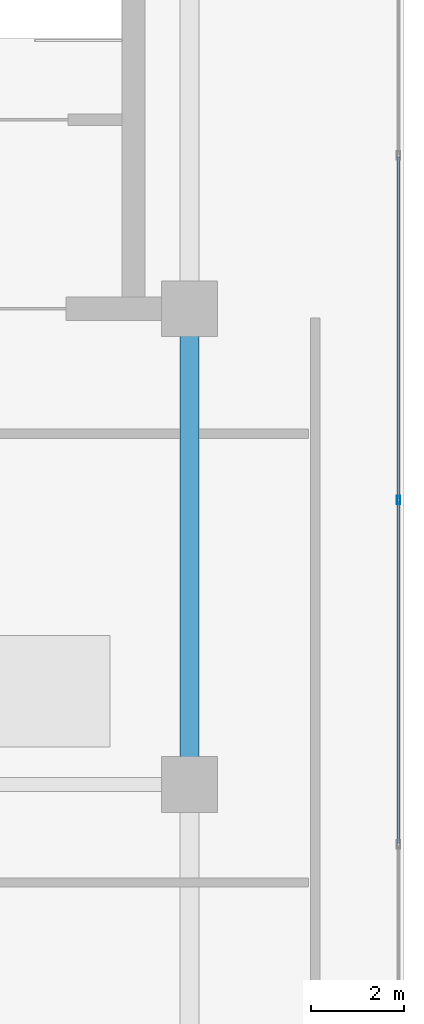
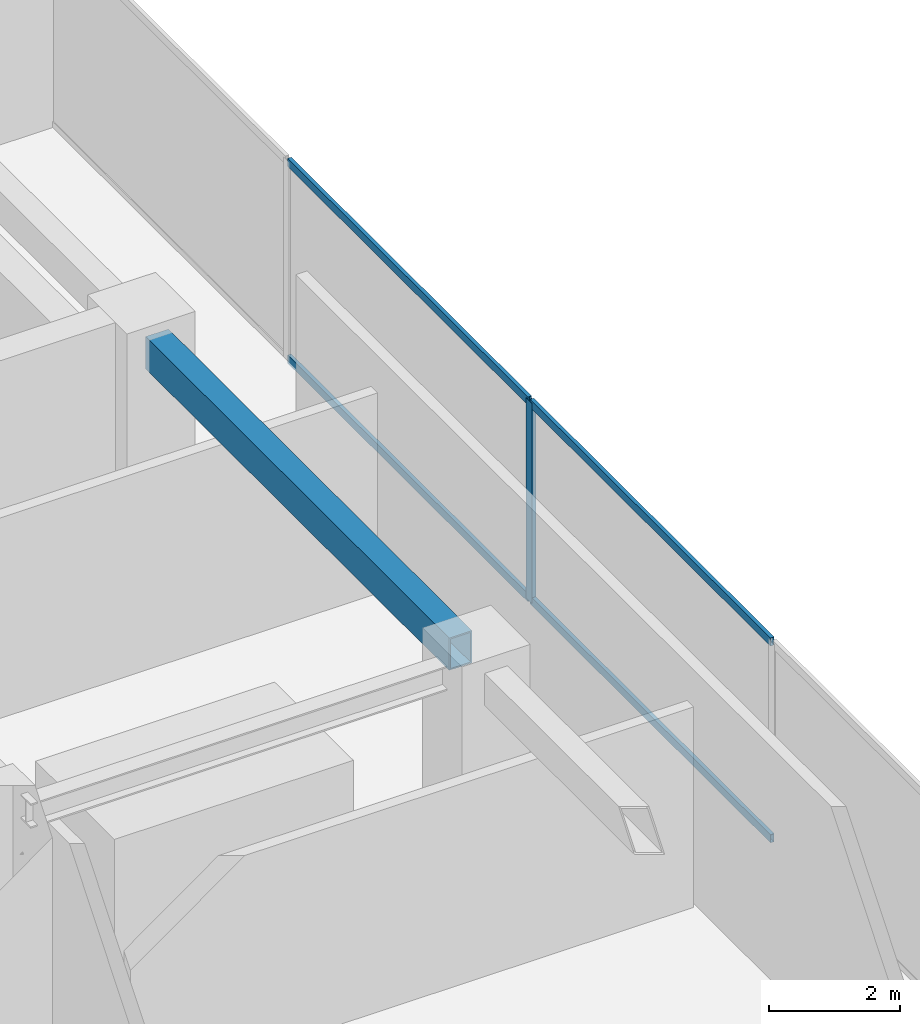
# One storey, part 10 of 19: 5 members, 1 beam, 1 element without a shape of its own.
"""IFC4 building model written with IfcOpenShell, lengths in metres."""

from ifc_helpers import new_model, si_unit, direction, frame, origin, origin_2d, place, context, subcontext, project, spatial, hollow_rectangle, extrude, source, transform, mapped, material, layer, layer_set, material_profile, profile_set, type_object, element, aggregate, save


model = new_model("IFC4")

# Units and contexts
model_context = context("Model", 3, precision=1e-05, world=origin(), true_north=direction((0.0, 1.0)))
body_context = subcontext(model_context, "Body", "Model", "MODEL_VIEW")
ifc_project = project(units=[si_unit("LENGTHUNIT", "METRE"), si_unit("AREAUNIT", "SQUARE_METRE"), si_unit("VOLUMEUNIT", "CUBIC_METRE"), si_unit("PLANEANGLEUNIT", "RADIAN"), si_unit("MASSUNIT", "GRAM", prefix="KILO")], contexts=[model_context])

# Site, building, storey
site_placement = place(None, origin())
site = spatial("IfcSite", under=ifc_project, at=site_placement, CompositionType="ELEMENT")
building_placement = place(site_placement, origin())
building = spatial("IfcBuilding", under=site, at=building_placement, Name="Sumidabori Civic Tower", CompositionType="ELEMENT")
storey_placement = place(building_placement, frame((0.0, 0.0, 293.60009765625)))
storey = spatial("IfcBuildingStorey", under=building, at=storey_placement, Name="L77", CompositionType="ELEMENT", Elevation=293.60009765625)

# Beam
ifc_material_1 = material(Name="Steel SN490", Category="steel")
ifc_material_profile_1 = material_profile(ifc_material_1, hollow_rectangle(XDim=0.39990234375, YDim=0.60009765625, WallThickness=0.02490234375, at=origin_2d()), Name="RHS 600x400x25")
ifc_profile_set_1 = profile_set([ifc_material_profile_1], Name="Steel SN490")
beam_type = type_object("IfcBeamType", Name="BM-CRN-RING", PredefinedType="BEAM", material=ifc_profile_set_1)
shared_shape_1 = source(origin(), body_context, "Body", "SweptSolid", [
    extrude(hollow_rectangle(XDim=0.39990234375, YDim=0.60009765625, WallThickness=0.02490234375, at=origin_2d()), origin(), (0.0, 0.0, 1.0), 9.239990234375),
])
beam_placement = place(storey_placement, frame((16.800048828125, 0.47998046875, 4.039794921875), z_axis=(0.0, 1.0, 0.0), x_axis=(-1.0, 0.0, 0.0)))
element("IfcBeam", 1, at=beam_placement, inside=storey, type_object=beam_type, Name="Crown Base Ring Beam BR-1-06", PredefinedType="BEAM", context=body_context, shape_type="MappedRepresentation", body=[
    mapped(shared_shape_1, transform((0.0, 0.0, 0.0), x_axis=(1.0, 0.0, 0.0), y_axis=(0.0, 1.0, 0.0), z_axis=(0.0, 0.0, 1.0), scale=1.0)),
])

# Curtain wall, members
ifc_material_2 = material(Name="Anodised Bronze Aluminium AW-6063-T6", Category="aluminium")
ifc_layer = layer(ifc_material_2, 0.179931640625, Name="Anodised Bronze Aluminium AW-6063-T6")
ifc_layer_set = layer_set([ifc_layer], Name="Anodised Bronze Aluminium AW-6063-T6")
curtain_wall_type = type_object("IfcCurtainWallType", Name="CW-SYS-6", PredefinedType="NOTDEFINED", material=ifc_layer_set)
curtain_wall_placement = place(storey_placement, origin())
curtain_wall = element("IfcCurtainWall", 2, at=curtain_wall_placement, inside=storey, type_object=curtain_wall_type, Name="Curtain Wall CW:L77:R04", PredefinedType="NOTDEFINED")
ifc_material_profile_2 = material_profile(ifc_material_2, hollow_rectangle(XDim=0.06494140625, YDim=0.14990234375, WallThickness=0.0048828125, at=origin_2d()), Name="ALU TRANSOM 150x65")
ifc_profile_set_2 = profile_set([ifc_material_profile_2], Name="Anodised Bronze Aluminium AW-6063-T6")
member_type_1 = type_object("IfcMemberType", Name="CW-TRN-150", PredefinedType="USERDEFINED", material=ifc_profile_set_2)
shared_shape_2 = source(origin(), body_context, "Body", "SweptSolid", [
    extrude(hollow_rectangle(XDim=0.06494140625, YDim=0.14990234375, WallThickness=0.0048828125, at=origin_2d()), origin(), (0.0, 0.0, 1.0), 7.31494140625),
])
member_1_placement = place(storey_placement, frame((21.280029296875, -1.25, 0.032470703125), z_axis=(0.0, 1.0, 0.0), x_axis=(-1.0, 0.0, 0.0)))
member_1 = element("IfcMember", 3, at=member_1_placement, type_object=member_type_1, Name="CW-6 transom 2.1", ObjectType="TRANSOM", PredefinedType="USERDEFINED", context=body_context, shape_type="MappedRepresentation", body=[
    mapped(shared_shape_2, transform((0.0, 0.0, 0.0), x_axis=(1.0, 0.0, 0.0), y_axis=(0.0, 1.0, 0.0), z_axis=(0.0, 0.0, 1.0), scale=1.0)),
])
member_2_placement = place(storey_placement, frame((21.280029296875, -1.25, 3.6875), z_axis=(0.0, 1.0, 0.0), x_axis=(-1.0, 0.0, 0.0)))
member_2 = element("IfcMember", 4, at=member_2_placement, type_object=member_type_1, Name="CW-6 transom 2.2", ObjectType="TRANSOM", PredefinedType="USERDEFINED", context=body_context, shape_type="MappedRepresentation", body=[
    mapped(shared_shape_2, transform((0.0, 0.0, 0.0), x_axis=(1.0, 0.0, 0.0), y_axis=(0.0, 1.0, 0.0), z_axis=(0.0, 0.0, 1.0), scale=1.0)),
])
member_3_placement = place(storey_placement, frame((21.280029296875, 6.135009765625, 0.032470703125), z_axis=(0.0, 1.0, 0.0), x_axis=(-1.0, 0.0, 0.0)))
member_3 = element("IfcMember", 5, at=member_3_placement, type_object=member_type_1, Name="CW-6 transom 3.1", ObjectType="TRANSOM", PredefinedType="USERDEFINED", context=body_context, shape_type="MappedRepresentation", body=[
    mapped(shared_shape_2, transform((0.0, 0.0, 0.0), x_axis=(1.0, 0.0, 0.0), y_axis=(0.0, 1.0, 0.0), z_axis=(0.0, 0.0, 1.0), scale=1.0)),
])
member_4_placement = place(storey_placement, frame((21.280029296875, 6.135009765625, 3.6875), z_axis=(0.0, 1.0, 0.0), x_axis=(-1.0, 0.0, 0.0)))
member_4 = element("IfcMember", 6, at=member_4_placement, type_object=member_type_1, Name="CW-6 transom 3.2", ObjectType="TRANSOM", PredefinedType="USERDEFINED", context=body_context, shape_type="MappedRepresentation", body=[
    mapped(shared_shape_2, transform((0.0, 0.0, 0.0), x_axis=(1.0, 0.0, 0.0), y_axis=(0.0, 1.0, 0.0), z_axis=(0.0, 0.0, 1.0), scale=1.0)),
])
ifc_material_profile_3 = material_profile(ifc_material_2, hollow_rectangle(XDim=0.070068359375, YDim=0.179931640625, WallThickness=0.006103515625, at=origin_2d()), Name="ALU MULLION 180x70")
ifc_profile_set_3 = profile_set([ifc_material_profile_3], Name="Anodised Bronze Aluminium AW-6063-T6")
member_type_2 = type_object("IfcMemberType", Name="CW-MUL-180", PredefinedType="MULLION", material=ifc_profile_set_3)
shared_shape_3 = source(origin(), body_context, "Body", "SweptSolid", [
    extrude(hollow_rectangle(XDim=0.070068359375, YDim=0.179931640625, WallThickness=0.006103515625, at=origin_2d()), origin(), (0.0, 0.0, 1.0), 3.719970703125),
])
member_5_placement = place(storey_placement, frame((21.280029296875, 6.10009765625, 0.0), z_axis=(0.0, 0.0, 1.0), x_axis=(-1.0, 0.0, 0.0)))
member_5 = element("IfcMember", 7, at=member_5_placement, type_object=member_type_2, Name="CW-6 mullion 3", PredefinedType="MULLION", context=body_context, shape_type="MappedRepresentation", body=[
    mapped(shared_shape_3, transform((0.0, 0.0, 0.0), x_axis=(1.0, 0.0, 0.0), y_axis=(0.0, 1.0, 0.0), z_axis=(0.0, 0.0, 1.0), scale=1.0)),
])
aggregate(curtain_wall, [member_5, member_1, member_2, member_3, member_4])

save(model, "model.ifc")
